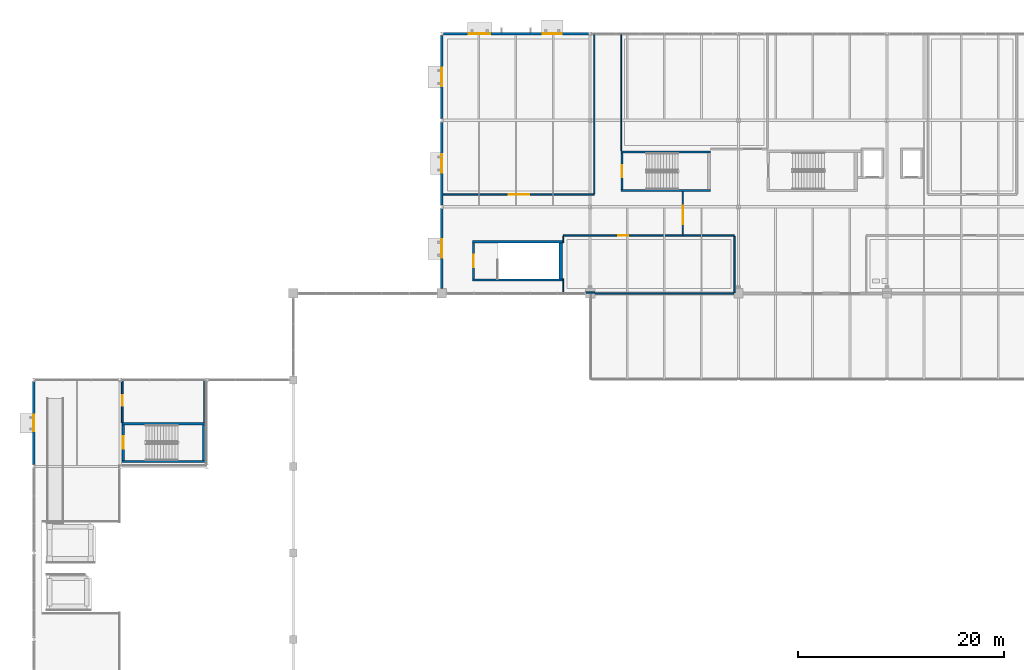
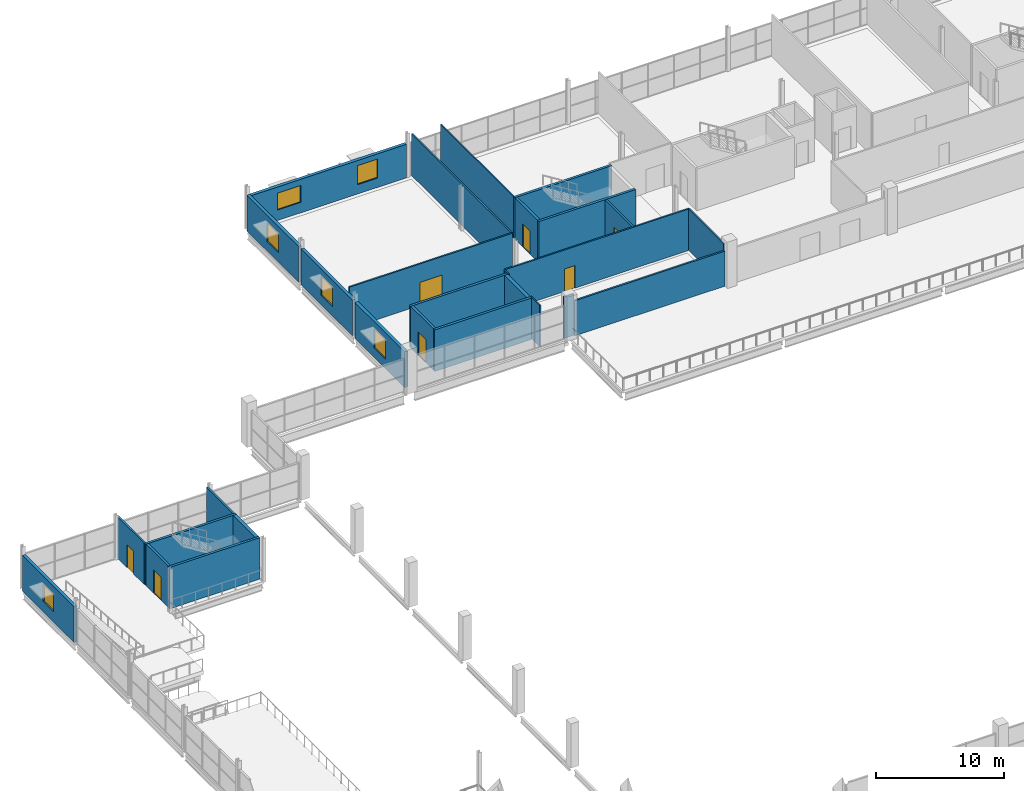
# One storey, part 79 of 93: 28 walls, 7 doors, 6 windows, 13 openings.
"""IFC4 building model written with IfcOpenShell, lengths in metres."""

from ifc_helpers import new_model, si_unit, direction, frame, frame_2d, origin, place, context, subcontext, project, spatial, rectangle, extrude, material, layer, layer_set, type_object, element, fill, save


model = new_model("IFC4")

# Units and contexts
model_context = context("Model", 3, precision=1e-05, world=origin(), true_north=direction((0.0, 1.0)))
body_context = subcontext(model_context, "Body", "Model", "MODEL_VIEW")
ifc_project = project(units=[si_unit("LENGTHUNIT", "METRE"), si_unit("AREAUNIT", "SQUARE_METRE"), si_unit("VOLUMEUNIT", "CUBIC_METRE"), si_unit("PLANEANGLEUNIT", "RADIAN"), si_unit("MASSUNIT", "GRAM", prefix="KILO"), si_unit("THERMODYNAMICTEMPERATUREUNIT", "KELVIN")], contexts=[model_context])

# Site, building, storey
site_placement = place(None, origin())
site = spatial("IfcSite", under=ifc_project, at=site_placement, CompositionType="ELEMENT")
building_placement = place(site_placement, origin())
building = spatial("IfcBuilding", under=site, at=building_placement, Name="Nduvali Passage Aquatics Centre", CompositionType="ELEMENT")
storey_placement = place(building_placement, frame((0.0, 0.0, 9.0)))
storey = spatial("IfcBuildingStorey", under=building, at=storey_placement, Name="L02", CompositionType="ELEMENT", Elevation=9.0)

# Wall, opening, window
ifc_material_1 = material(Name="Coral-stone masonry blockwork", Category="masonry")
ifc_layer_1 = layer(ifc_material_1, 0.280029296875, Name="Coral-stone masonry blockwork")
ifc_layer_set_1 = layer_set([ifc_layer_1], Name="Coral-stone masonry blockwork")
wall_type_1 = type_object("IfcWallType", Name="ENV-WAL-CORAL280", PredefinedType="STANDARD", material=ifc_layer_set_1)
wall_1_placement = place(storey_placement, frame((0.0, 83.830078125, 0.0), z_axis=(0.0, 0.0, 1.0), x_axis=(0.0, -1.0, 0.0)))
wall_1 = element("IfcWall", 1, at=wall_1_placement, inside=storey, type_object=wall_type_1, Name="L02 Diving West Facade 0032", PredefinedType="STANDARD", context=body_context, shape_type="SweptSolid", body=[
    extrude(rectangle(XDim=8.06005859375, YDim=0.280029296875, at=frame_2d((4.030029296875, 0.0))), origin(), (0.0, 0.0, 1.0), 3.406494140625),
])
opening_1_placement = place(wall_1_placement, frame((3.22998046875, 0.0, 1.0)))
opening_1 = element("IfcOpeningElement", 2, at=opening_1_placement, cuts=wall_1, Name="Opening W11", PredefinedType="OPENING", context=body_context, shape_type="SweptSolid", body=[
    extrude(rectangle(XDim=1.60009765625, YDim=1.60009765625, at=frame_2d((0.800048828125, 0.800048828125))), frame((0.0, 0.15478515625, 0.0), z_axis=(0.0, -1.0, 0.0), x_axis=(1.0, 0.0, 0.0)), (0.0, 0.0, 1.0), 0.309814453125),
])
ifc_material_2 = material(Name="Aluminium-framed solar-control low-E IGU", Category="aluminium")
window_type_1 = type_object("IfcWindowType", Name="ENV-WIN-W11", PartitioningType="SINGLE_PANEL", PredefinedType="WINDOW", material=ifc_material_2)
window_1_placement = place(opening_1_placement, origin())
window_1 = element("IfcWindow", 3, at=window_1_placement, inside=storey, type_object=window_type_1, Name="L02 Exterior Window W11-0039", OverallHeight=1.60009765625, OverallWidth=1.60009765625, PartitioningType="SINGLE_PANEL", PredefinedType="WINDOW", context=body_context, shape_type="SweptSolid", body=[
    extrude(rectangle(XDim=1.60009765625, YDim=1.60009765625, at=frame_2d((0.800048828125, 0.800048828125))), frame((0.0, 0.030029296875, 0.0), z_axis=(0.0, -1.0, 0.0), x_axis=(1.0, 0.0, 0.0)), (0.0, 0.0, 1.0), 0.06005859375),
])
fill(opening_1, window_1)

# Wall, openings, windows
wall_2_placement = place(storey_placement, frame((53.85009765625, 117.60009765625, 0.0), z_axis=(0.0, 0.0, 1.0), x_axis=(-1.0, 0.0, 0.0)))
wall_2 = element("IfcWall", 4, at=wall_2_placement, inside=storey, type_object=wall_type_1, Name="L02 North Avenue Civic Facade 0066", PredefinedType="STANDARD", context=body_context, shape_type="SweptSolid", body=[
    extrude(rectangle(XDim=14.10009765625, YDim=0.280029296875, at=frame_2d((7.050048828125, 0.0))), origin(), (0.0, 0.0, 1.0), 3.19384765625),
])
opening_2_placement = place(wall_2_placement, frame((2.625, 0.0, 0.89990234375)))
opening_2 = element("IfcOpeningElement", 5, at=opening_2_placement, cuts=wall_2, Name="Opening W2", PredefinedType="OPENING", context=body_context, shape_type="SweptSolid", body=[
    extrude(rectangle(XDim=1.800048828125, YDim=1.800048828125, at=frame_2d((0.89990234375, 0.89990234375))), frame((0.0, 0.15478515625, 0.0), z_axis=(0.0, -1.0, 0.0), x_axis=(1.0, 0.0, 0.0)), (0.0, 0.0, 1.0), 0.309814453125),
])
opening_3_placement = place(wall_2_placement, frame((9.52490234375, 0.0, 1.0)))
opening_3 = element("IfcOpeningElement", 6, at=opening_3_placement, cuts=wall_2, Name="Opening W5", PredefinedType="OPENING", context=body_context, shape_type="SweptSolid", body=[
    extrude(rectangle(XDim=2.10009765625, YDim=1.60009765625, at=frame_2d((1.050048828125, 0.800048828125))), frame((0.0, 0.15478515625, 0.0), z_axis=(0.0, -1.0, 0.0), x_axis=(1.0, 0.0, 0.0)), (0.0, 0.0, 1.0), 0.309814453125),
])
window_type_2 = type_object("IfcWindowType", Name="ENV-WIN-W2", PartitioningType="SINGLE_PANEL", PredefinedType="WINDOW", material=ifc_material_2)
window_2_placement = place(opening_2_placement, origin())
window_2 = element("IfcWindow", 7, at=window_2_placement, inside=storey, type_object=window_type_2, Name="L02 Exterior Window W2-0066", OverallHeight=1.800048828125, OverallWidth=1.800048828125, PartitioningType="SINGLE_PANEL", PredefinedType="WINDOW", context=body_context, shape_type="SweptSolid", body=[
    extrude(rectangle(XDim=1.800048828125, YDim=1.800048828125, at=frame_2d((0.89990234375, 0.89990234375))), frame((0.0, 0.030029296875, 0.0), z_axis=(0.0, -1.0, 0.0), x_axis=(1.0, 0.0, 0.0)), (0.0, 0.0, 1.0), 0.06005859375),
])
fill(opening_2, window_2)
window_type_3 = type_object("IfcWindowType", Name="ENV-WIN-W5", PartitioningType="SINGLE_PANEL", PredefinedType="WINDOW", material=ifc_material_2)
window_3_placement = place(opening_3_placement, origin())
window_3 = element("IfcWindow", 8, at=window_3_placement, inside=storey, type_object=window_type_3, Name="L02 Exterior Window W5-0067", OverallHeight=1.60009765625, OverallWidth=2.10009765625, PartitioningType="SINGLE_PANEL", PredefinedType="WINDOW", context=body_context, shape_type="SweptSolid", body=[
    extrude(rectangle(XDim=2.10009765625, YDim=1.60009765625, at=frame_2d((1.050048828125, 0.800048828125))), frame((0.0, 0.030029296875, 0.0), z_axis=(0.0, -1.0, 0.0), x_axis=(1.0, 0.0, 0.0)), (0.0, 0.0, 1.0), 0.06005859375),
])
fill(opening_3, window_3)

# Wall, opening, window
wall_3_placement = place(storey_placement, frame((39.60009765625, 100.625, 0.0), z_axis=(0.0, 0.0, 1.0), x_axis=(0.0, -1.0, 0.0)))
wall_3 = element("IfcWall", 9, at=wall_3_placement, inside=storey, type_object=wall_type_1, Name="L02 North Wing West Stepped Facade 0068", PredefinedType="STANDARD", context=body_context, shape_type="SweptSolid", body=[
    extrude(rectangle(XDim=7.77490234375, YDim=0.280029296875, at=frame_2d((3.887451171875, 0.0))), origin(), (0.0, 0.0, 1.0), 3.406494140625),
])
opening_4_placement = place(wall_3_placement, frame((2.988037109375, 0.0, 0.89990234375)))
opening_4 = element("IfcOpeningElement", 10, at=opening_4_placement, cuts=wall_3, Name="Opening W2", PredefinedType="OPENING", context=body_context, shape_type="SweptSolid", body=[
    extrude(rectangle(XDim=1.800048828125, YDim=1.800048828125, at=frame_2d((0.89990234375, 0.89990234375))), frame((0.0, 0.15478515625, 0.0), z_axis=(0.0, -1.0, 0.0), x_axis=(1.0, 0.0, 0.0)), (0.0, 0.0, 1.0), 0.309814453125),
])
window_4_placement = place(opening_4_placement, origin())
window_4 = element("IfcWindow", 11, at=window_4_placement, inside=storey, type_object=window_type_2, Name="L02 Exterior Window W2-0068", OverallHeight=1.800048828125, OverallWidth=1.800048828125, PartitioningType="SINGLE_PANEL", PredefinedType="WINDOW", context=body_context, shape_type="SweptSolid", body=[
    extrude(rectangle(XDim=1.800048828125, YDim=1.800048828125, at=frame_2d((0.89990234375, 0.89990234375))), frame((0.0, 0.030029296875, 0.0), z_axis=(0.0, -1.0, 0.0), x_axis=(1.0, 0.0, 0.0)), (0.0, 0.0, 1.0), 0.06005859375),
])
fill(opening_4, window_4)

wall_4_placement = place(storey_placement, frame((39.60009765625, 109.030029296875, 0.0), z_axis=(0.0, 0.0, 1.0), x_axis=(0.0, -1.0, 0.0)))
wall_4 = element("IfcWall", 12, at=wall_4_placement, inside=storey, type_object=wall_type_1, Name="L02 North Wing West Stepped Facade 0069", PredefinedType="STANDARD", context=body_context, shape_type="SweptSolid", body=[
    extrude(rectangle(XDim=8.054931640625, YDim=0.280029296875, at=frame_2d((4.02734375, 0.0))), origin(), (0.0, 0.0, 1.0), 3.406494140625),
])
opening_5_placement = place(wall_4_placement, frame((3.1279296875, 0.0, 0.89990234375)))
opening_5 = element("IfcOpeningElement", 13, at=opening_5_placement, cuts=wall_4, Name="Opening W2", PredefinedType="OPENING", context=body_context, shape_type="SweptSolid", body=[
    extrude(rectangle(XDim=1.800048828125, YDim=1.800048828125, at=frame_2d((0.89990234375, 0.89990234375))), frame((0.0, 0.15478515625, 0.0), z_axis=(0.0, -1.0, 0.0), x_axis=(1.0, 0.0, 0.0)), (0.0, 0.0, 1.0), 0.309814453125),
])
window_5_placement = place(opening_5_placement, origin())
window_5 = element("IfcWindow", 14, at=window_5_placement, inside=storey, type_object=window_type_2, Name="L02 Exterior Window W2-0069", OverallHeight=1.800048828125, OverallWidth=1.800048828125, PartitioningType="SINGLE_PANEL", PredefinedType="WINDOW", context=body_context, shape_type="SweptSolid", body=[
    extrude(rectangle(XDim=1.800048828125, YDim=1.800048828125, at=frame_2d((0.89990234375, 0.89990234375))), frame((0.0, 0.030029296875, 0.0), z_axis=(0.0, -1.0, 0.0), x_axis=(1.0, 0.0, 0.0)), (0.0, 0.0, 1.0), 0.06005859375),
])
fill(opening_5, window_5)

wall_5_placement = place(storey_placement, frame((39.60009765625, 117.43994140625, 0.0), z_axis=(0.0, 0.0, 1.0), x_axis=(0.0, -1.0, 0.0)))
wall_5 = element("IfcWall", 15, at=wall_5_placement, inside=storey, type_object=wall_type_1, Name="L02 North Wing West Stepped Facade 0070", PredefinedType="STANDARD", context=body_context, shape_type="SweptSolid", body=[
    extrude(rectangle(XDim=8.06982421875, YDim=0.280029296875, at=frame_2d((4.034912109375, 0.0))), origin(), (0.0, 0.0, 1.0), 3.406494140625),
])
opening_6_placement = place(wall_5_placement, frame((3.135009765625, 0.0, 0.89990234375)))
opening_6 = element("IfcOpeningElement", 16, at=opening_6_placement, cuts=wall_5, Name="Opening W2", PredefinedType="OPENING", context=body_context, shape_type="SweptSolid", body=[
    extrude(rectangle(XDim=1.800048828125, YDim=1.800048828125, at=frame_2d((0.89990234375, 0.89990234375))), frame((0.0, 0.15478515625, 0.0), z_axis=(0.0, -1.0, 0.0), x_axis=(1.0, 0.0, 0.0)), (0.0, 0.0, 1.0), 0.309814453125),
])
window_6_placement = place(opening_6_placement, origin())
window_6 = element("IfcWindow", 17, at=window_6_placement, inside=storey, type_object=window_type_2, Name="L02 Exterior Window W2-0070", OverallHeight=1.800048828125, OverallWidth=1.800048828125, PartitioningType="SINGLE_PANEL", PredefinedType="WINDOW", context=body_context, shape_type="SweptSolid", body=[
    extrude(rectangle(XDim=1.800048828125, YDim=1.800048828125, at=frame_2d((0.89990234375, 0.89990234375))), frame((0.0, 0.030029296875, 0.0), z_axis=(0.0, -1.0, 0.0), x_axis=(1.0, 0.0, 0.0)), (0.0, 0.0, 1.0), 0.06005859375),
])
fill(opening_6, window_6)

# Walls
ifc_material_3 = material(Name="Concrete C40/50", Category="concrete")
ifc_layer_2 = layer(ifc_material_3, 0.219970703125, Name="Concrete C40/50")
ifc_layer_set_2 = layer_set([ifc_layer_2], Name="Concrete C40/50")
wall_type_2 = type_object("IfcWallType", Name="INT-WAL-CORE220", PredefinedType="SOLIDWALL", material=ifc_layer_set_2)
for number, where, z_axis, x_axis, name in (
    (18, (56.97998046875, 102.389892578125, 0.0), (0.0, 0.0, 1.0), (1.0, 0.0, 0.0), "L02 Stair ST3 Core Wall S"),
    (19, (65.699951171875, 106.1201171875, 0.0), (0.0, 0.0, 1.0), (-1.0, 0.0, 0.0), "L02 Stair ST3 Core Wall N"),
):
    element("IfcWall", number, at=place(storey_placement, frame(where, z_axis=z_axis, x_axis=x_axis)), inside=storey, type_object=wall_type_2, Name=name, PredefinedType="SOLIDWALL", context=body_context, shape_type="SweptSolid", body=[
        extrude(rectangle(XDim=8.719970703125, YDim=0.219970703125, at=frame_2d((4.35986328125, 0.0))), origin(), (0.0, 0.0, 1.0), 3.949951171875),
    ])

# Wall, opening, door
wall_6_placement = place(storey_placement, frame((57.090087890625, 106.010009765625, 0.0), z_axis=(0.0, 0.0, 1.0), x_axis=(0.0, -1.0, 0.0)))
wall_6 = element("IfcWall", 20, at=wall_6_placement, inside=storey, type_object=wall_type_2, Name="L02 Stair ST3 Core Wall W", PredefinedType="SOLIDWALL", context=body_context, shape_type="SweptSolid", body=[
    extrude(rectangle(XDim=3.510009765625, YDim=0.219970703125, at=frame_2d((1.7548828125, 0.0))), origin(), (0.0, 0.0, 1.0), 3.949951171875),
])
opening_7_placement = place(wall_6_placement, frame((1.155029296875, 0.0, 0.0)))
opening_7 = element("IfcOpeningElement", 21, at=opening_7_placement, cuts=wall_6, Name="Opening FD-ST2", PredefinedType="OPENING", context=body_context, shape_type="SweptSolid", body=[
    extrude(rectangle(XDim=1.199951171875, YDim=2.199951171875, at=frame_2d((0.60009765625, 1.10009765625))), frame((0.0, 0.125, 0.0), z_axis=(0.0, -1.0, 0.0), x_axis=(1.0, 0.0, 0.0)), (0.0, 0.0, 1.0), 0.249755859375),
])
ifc_material_4 = material(Name="Galvanised steel door", Category="steel")
door_type_1 = type_object("IfcDoorType", Name="INT-DR-ST120", OperationType="NOTDEFINED", PredefinedType="DOOR", material=ifc_material_4)
door_1_placement = place(opening_7_placement, frame((1.199951171875, 0.0, 0.0), z_axis=(0.0, 0.0, 1.0), x_axis=(-1.0, 0.0, 0.0)))
door_1 = element("IfcDoor", 22, at=door_1_placement, inside=storey, type_object=door_type_1, Name="L02 Stair ST3 Fire Lobby Door", OperationType="SINGLE_SWING_RIGHT", OverallHeight=2.199951171875, OverallWidth=1.199951171875, PredefinedType="DOOR", context=body_context, shape_type="SweptSolid", body=[
    extrude(rectangle(XDim=1.199951171875, YDim=2.199951171875, at=frame_2d((0.60009765625, 1.10009765625))), frame((0.0, 0.02490234375, 0.0), z_axis=(0.0, -1.0, 0.0), x_axis=(1.0, 0.0, 0.0)), (0.0, 0.0, 1.0), 0.050048828125),
])
fill(opening_7, door_1)

# Walls
for number, where, z_axis, x_axis, name in (
    (23, (42.580078125, 93.68994140625, 0.0), (0.0, 0.0, 1.0), (1.0, 0.0, 0.0), "L02 Stair ST4 Core Wall S"),
    (24, (51.300048828125, 97.419921875, 0.0), (0.0, 0.0, 1.0), (-1.0, 0.0, 0.0), "L02 Stair ST4 Core Wall N"),
):
    element("IfcWall", number, at=place(storey_placement, frame(where, z_axis=z_axis, x_axis=x_axis)), inside=storey, type_object=wall_type_2, Name=name, PredefinedType="SOLIDWALL", context=body_context, shape_type="SweptSolid", body=[
        extrude(rectangle(XDim=8.719970703125, YDim=0.219970703125, at=frame_2d((4.35986328125, 0.0))), origin(), (0.0, 0.0, 1.0), 3.949951171875),
    ])

# Wall, opening, door
wall_7_placement = place(storey_placement, frame((42.68994140625, 97.31005859375, 0.0), z_axis=(0.0, 0.0, 1.0), x_axis=(0.0, -1.0, 0.0)))
wall_7 = element("IfcWall", 25, at=wall_7_placement, inside=storey, type_object=wall_type_2, Name="L02 Stair ST4 Core Wall W", PredefinedType="SOLIDWALL", context=body_context, shape_type="SweptSolid", body=[
    extrude(rectangle(XDim=3.510009765625, YDim=0.219970703125, at=frame_2d((1.7548828125, 0.0))), origin(), (0.0, 0.0, 1.0), 3.949951171875),
])
opening_8_placement = place(wall_7_placement, frame((1.155029296875, 0.0, 0.0)))
opening_8 = element("IfcOpeningElement", 26, at=opening_8_placement, cuts=wall_7, Name="Opening FD-ST2", PredefinedType="OPENING", context=body_context, shape_type="SweptSolid", body=[
    extrude(rectangle(XDim=1.199951171875, YDim=2.199951171875, at=frame_2d((0.60009765625, 1.10009765625))), frame((0.0, 0.125, 0.0), z_axis=(0.0, -1.0, 0.0), x_axis=(1.0, 0.0, 0.0)), (0.0, 0.0, 1.0), 0.249755859375),
])
door_2_placement = place(opening_8_placement, frame((1.199951171875, 0.0, 0.0), z_axis=(0.0, 0.0, 1.0), x_axis=(-1.0, 0.0, 0.0)))
door_2 = element("IfcDoor", 27, at=door_2_placement, inside=storey, type_object=door_type_1, Name="L02 Stair ST4 Fire Lobby Door", OperationType="SINGLE_SWING_RIGHT", OverallHeight=2.199951171875, OverallWidth=1.199951171875, PredefinedType="DOOR", context=body_context, shape_type="SweptSolid", body=[
    extrude(rectangle(XDim=1.199951171875, YDim=2.199951171875, at=frame_2d((0.60009765625, 1.10009765625))), frame((0.0, 0.02490234375, 0.0), z_axis=(0.0, -1.0, 0.0), x_axis=(1.0, 0.0, 0.0)), (0.0, 0.0, 1.0), 0.050048828125),
])
fill(opening_8, door_2)

# Walls
for number, where, z_axis, x_axis, name in (
    (28, (8.580078125, 76.090087890625, 0.0), (0.0, 0.0, 1.0), (1.0, 0.0, 0.0), "L02 Stair ST12 Core Wall S"),
    (29, (16.699951171875, 79.739990234375, 0.0), (0.0, 0.0, 1.0), (-1.0, 0.0, 0.0), "L02 Stair ST12 Core Wall N"),
):
    element("IfcWall", number, at=place(storey_placement, frame(where, z_axis=z_axis, x_axis=x_axis)), inside=storey, type_object=wall_type_2, Name=name, PredefinedType="SOLIDWALL", context=body_context, shape_type="SweptSolid", body=[
        extrude(rectangle(XDim=8.119873046875, YDim=0.219970703125, at=frame_2d((4.06005859375, 0.0))), origin(), (0.0, 0.0, 1.0), 3.949951171875),
    ])

# Wall, opening, door
wall_8_placement = place(storey_placement, frame((8.68994140625, 79.6298828125, 0.0), z_axis=(0.0, 0.0, 1.0), x_axis=(0.0, -1.0, 0.0)))
wall_8 = element("IfcWall", 30, at=wall_8_placement, inside=storey, type_object=wall_type_2, Name="L02 Stair ST12 Core Wall W", PredefinedType="SOLIDWALL", context=body_context, shape_type="SweptSolid", body=[
    extrude(rectangle(XDim=3.429931640625, YDim=0.219970703125, at=frame_2d((1.71484375, 0.0))), origin(), (0.0, 0.0, 1.0), 3.949951171875),
])
opening_9_placement = place(wall_8_placement, frame((1.114990234375, 0.0, 0.0)))
opening_9 = element("IfcOpeningElement", 31, at=opening_9_placement, cuts=wall_8, Name="Opening FD-ST2", PredefinedType="OPENING", context=body_context, shape_type="SweptSolid", body=[
    extrude(rectangle(XDim=1.199951171875, YDim=2.199951171875, at=frame_2d((0.60009765625, 1.10009765625))), frame((0.0, 0.125, 0.0), z_axis=(0.0, -1.0, 0.0), x_axis=(1.0, 0.0, 0.0)), (0.0, 0.0, 1.0), 0.249755859375),
])
door_3_placement = place(opening_9_placement, frame((1.199951171875, 0.0, 0.0), z_axis=(0.0, 0.0, 1.0), x_axis=(-1.0, 0.0, 0.0)))
door_3 = element("IfcDoor", 32, at=door_3_placement, inside=storey, type_object=door_type_1, Name="L02 Stair ST12 Fire Lobby Door", OperationType="SINGLE_SWING_LEFT", OverallHeight=2.199951171875, OverallWidth=1.199951171875, PredefinedType="DOOR", context=body_context, shape_type="SweptSolid", body=[
    extrude(rectangle(XDim=1.199951171875, YDim=2.199951171875, at=frame_2d((0.60009765625, 1.10009765625))), frame((0.0, 0.02490234375, 0.0), z_axis=(0.0, -1.0, 0.0), x_axis=(1.0, 0.0, 0.0)), (0.0, 0.0, 1.0), 0.050048828125),
])
fill(opening_9, door_3)

# Wall
ifc_material_5 = material(Name="Gypsum fire-rated stud partition")
ifc_layer_3 = layer(ifc_material_5, 0.159912109375, Name="Gypsum fire-rated stud partition")
ifc_layer_set_3 = layer_set([ifc_layer_3], Name="Gypsum fire-rated stud partition")
wall_type_3 = type_object("IfcWallType", Name="INT-WAL-FIRE160", PredefinedType="PARTITIONING", material=ifc_layer_set_3)
wall_9_placement = place(storey_placement, frame((54.449951171875, 92.39990234375, 0.0), z_axis=(0.0, 0.0, 1.0), x_axis=(1.0, 0.0, 0.0)))
element("IfcWall", 33, at=wall_9_placement, inside=storey, type_object=wall_type_3, Name="L02 Media Gallery Grid M Fire Partition 1", PredefinedType="PARTITIONING", context=body_context, shape_type="SweptSolid", body=[
    extrude(rectangle(XDim=13.5, YDim=0.159912109375, at=frame_2d((6.75, 0.0))), origin(), (0.0, 0.0, 1.0), 3.340087890625),
])

# Wall, opening, door
wall_10_placement = place(storey_placement, frame((8.60009765625, 79.85009765625, 0.0), z_axis=(0.0, 0.0, 1.0), x_axis=(0.0, 1.0, 0.0)))
wall_10 = element("IfcWall", 34, at=wall_10_placement, inside=storey, type_object=wall_type_3, Name="L02 Diving Judges Panel and Video Replay Suite Partition 0173", PredefinedType="PARTITIONING", context=body_context, shape_type="SweptSolid", body=[
    extrude(rectangle(XDim=4.1298828125, YDim=0.159912109375, at=frame_2d((2.06494140625, 0.0))), origin(), (0.0, 0.0, 1.0), 3.949951171875),
])
opening_10_placement = place(wall_10_placement, frame((1.625, 0.0, 0.0)))
opening_10 = element("IfcOpeningElement", 35, at=opening_10_placement, cuts=wall_10, Name="Opening FD-R1", PredefinedType="OPENING", context=body_context, shape_type="SweptSolid", body=[
    extrude(rectangle(XDim=1.050048828125, YDim=2.179931640625, at=frame_2d((0.52490234375, 1.08984375))), frame((0.0, 0.0947265625, 0.0), z_axis=(0.0, -1.0, 0.0), x_axis=(1.0, 0.0, 0.0)), (0.0, 0.0, 1.0), 0.189697265625),
])
ifc_material_6 = material(Name="Timber solid-core fire door", Category="wood")
door_type_2 = type_object("IfcDoorType", Name="INT-DR-FIRE100", OperationType="NOTDEFINED", PredefinedType="DOOR", material=ifc_material_6)
door_4_placement = place(opening_10_placement, frame((1.050048828125, 0.0, 0.0), z_axis=(0.0, 0.0, 1.0), x_axis=(-1.0, 0.0, 0.0)))
door_4 = element("IfcDoor", 36, at=door_4_placement, inside=storey, type_object=door_type_2, Name="L02 Diving Judges Panel and Video Replay Suite Door 0059", OperationType="SINGLE_SWING_RIGHT", OverallHeight=2.179931640625, OverallWidth=1.050048828125, PredefinedType="DOOR", context=body_context, shape_type="SweptSolid", body=[
    extrude(rectangle(XDim=1.050048828125, YDim=2.179931640625, at=frame_2d((0.52490234375, 1.08984375))), frame((0.0, 0.02490234375, 0.0), z_axis=(0.0, -1.0, 0.0), x_axis=(1.0, 0.0, 0.0)), (0.0, 0.0, 1.0), 0.050048828125),
])
fill(opening_10, door_4)

# Wall
wall_11_placement = place(storey_placement, frame((16.60009765625, 79.85009765625, 0.0), z_axis=(0.0, 0.0, 1.0), x_axis=(0.0, 1.0, 0.0)))
element("IfcWall", 37, at=wall_11_placement, inside=storey, type_object=wall_type_3, Name="L02 Diving Judges Panel and Video Replay Suite Partition 0174", PredefinedType="PARTITIONING", context=body_context, shape_type="SweptSolid", body=[
    extrude(rectangle(XDim=4.1298828125, YDim=0.159912109375, at=frame_2d((2.06494140625, 0.0))), origin(), (0.0, 0.0, 1.0), 3.949951171875),
])

# Wall, opening, door
wall_12_placement = place(storey_placement, frame((63.0, 98.0, 0.0), z_axis=(0.0, 0.0, 1.0), x_axis=(0.0, 1.0, 0.0)))
wall_12 = element("IfcWall", 38, at=wall_12_placement, inside=storey, type_object=wall_type_3, Name="L02 Cross-Corridor Smoke Partition", PredefinedType="PARTITIONING", context=body_context, shape_type="SweptSolid", body=[
    extrude(rectangle(XDim=4.280029296875, YDim=0.159912109375, at=frame_2d((2.14013671875, 0.0))), origin(), (0.0, 0.0, 1.0), 3.949951171875),
])
opening_11_placement = place(wall_12_placement, frame((1.10009765625, 0.0, 0.0)))
opening_11 = element("IfcOpeningElement", 39, at=opening_11_placement, cuts=wall_12, Name="Opening FD-C1", PredefinedType="OPENING", context=body_context, shape_type="SweptSolid", body=[
    extrude(rectangle(XDim=1.800048828125, YDim=2.199951171875, at=frame_2d((0.89990234375, 1.10009765625))), frame((0.0, 0.0947265625, 0.0), z_axis=(0.0, -1.0, 0.0), x_axis=(1.0, 0.0, 0.0)), (0.0, 0.0, 1.0), 0.189697265625),
])
door_type_3 = type_object("IfcDoorType", Name="INT-DR-COR180", OperationType="DOUBLE_DOOR_SINGLE_SWING", PredefinedType="DOOR", material=ifc_material_6)
door_5_placement = place(opening_11_placement, origin())
door_5 = element("IfcDoor", 40, at=door_5_placement, inside=storey, type_object=door_type_3, Name="L02 Cross-Corridor Double Fire Door", OperationType="DOUBLE_DOOR_SINGLE_SWING", OverallHeight=2.199951171875, OverallWidth=1.800048828125, PredefinedType="DOOR", context=body_context, shape_type="SweptSolid", body=[
    extrude(rectangle(XDim=1.800048828125, YDim=2.199951171875, at=frame_2d((0.89990234375, 1.10009765625))), frame((0.0, 0.02490234375, 0.0), z_axis=(0.0, -1.0, 0.0), x_axis=(1.0, 0.0, 0.0)), (0.0, 0.0, 1.0), 0.050048828125),
])
fill(opening_11, door_5)

# Walls
ifc_material_7 = material(Name="Glulam GL28h", Category="wood")
ifc_layer_4 = layer(ifc_material_7, 0.10009765625, Name="Glulam GL28h")
ifc_layer_set_4 = layer_set([ifc_layer_4], Name="Glulam GL28h")
wall_type_4 = type_object("IfcWallType", Name="INT-WAL-MOV100", PredefinedType="MOVABLE", material=ifc_layer_set_4)
wall_13_placement = place(storey_placement, frame((57.0, 106.22998046875, 0.0), z_axis=(0.0, 0.0, 1.0), x_axis=(0.0, 1.0, 0.0)))
element("IfcWall", 41, at=wall_13_placement, inside=storey, type_object=wall_type_4, Name="L02 Indoor Cycling and HIIT Group Studio 2 Partition 0178", PredefinedType="MOVABLE", context=body_context, shape_type="SweptSolid", body=[
    extrude(rectangle(XDim=11.35009765625, YDim=0.10009765625, at=frame_2d((5.675048828125, 0.0))), origin(), (0.0, 0.0, 1.0), 3.949951171875),
])
wall_14_placement = place(storey_placement, frame((51.39990234375, 92.419921875, 0.0), z_axis=(0.0, 0.0, 1.0), x_axis=(0.0, 1.0, 0.0)))
element("IfcWall", 42, at=wall_14_placement, inside=storey, type_object=wall_type_4, Name="L02 Mind-Body Pilates and Yoga Studio Partition 0183", PredefinedType="MOVABLE", context=body_context, shape_type="SweptSolid", body=[
    extrude(rectangle(XDim=1.380126953125, YDim=0.10009765625, at=frame_2d((0.68994140625, 0.0))), origin(), (0.0, 0.0, 1.0), 3.949951171875),
])
wall_15_placement = place(storey_placement, frame((51.39990234375, 97.31005859375, 0.0), z_axis=(0.0, 0.0, 1.0), x_axis=(0.0, 1.0, 0.0)))
element("IfcWall", 43, at=wall_15_placement, inside=storey, type_object=wall_type_4, Name="L02 Mind-Body Pilates and Yoga Studio Partition 0184", PredefinedType="MOVABLE", context=body_context, shape_type="SweptSolid", body=[
    extrude(rectangle(XDim=0.619873046875, YDim=0.10009765625, at=frame_2d((0.31005859375, 0.0))), origin(), (0.0, 0.0, 1.0), 3.949951171875),
])

# Wall, opening, door
ifc_material_8 = material(Name="Gypsum acoustic stud partition")
ifc_layer_5 = layer(ifc_material_8, 0.139892578125, Name="Gypsum acoustic stud partition")
ifc_layer_set_5 = layer_set([ifc_layer_5], Name="Gypsum acoustic stud partition")
wall_type_5 = type_object("IfcWallType", Name="INT-WAL-PART140", PredefinedType="PARTITIONING", material=ifc_layer_set_5)
wall_16_placement = place(storey_placement, frame((39.739990234375, 102.0, 0.0), z_axis=(0.0, 0.0, 1.0), x_axis=(1.0, 0.0, 0.0)))
wall_16 = element("IfcWall", 44, at=wall_16_placement, inside=storey, type_object=wall_type_5, Name="L02 Group Exercise and Aerobics Studio 1 Partition 0175", PredefinedType="PARTITIONING", context=body_context, shape_type="SweptSolid", body=[
    extrude(rectangle(XDim=14.659912109375, YDim=0.139892578125, at=frame_2d((7.330078125, 0.0))), origin(), (0.0, 0.0, 1.0), 3.949951171875),
])
opening_12_placement = place(wall_16_placement, frame((6.340087890625, 0.0, 0.0)))
opening_12 = element("IfcOpeningElement", 45, at=opening_12_placement, cuts=wall_16, Name="Opening ID5", PredefinedType="OPENING", context=body_context, shape_type="SweptSolid", body=[
    extrude(rectangle(XDim=2.0, YDim=2.199951171875, at=frame_2d((1.0, 1.10009765625))), frame((0.0, 0.0849609375, 0.0), z_axis=(0.0, -1.0, 0.0), x_axis=(1.0, 0.0, 0.0)), (0.0, 0.0, 1.0), 0.169677734375),
])
ifc_material_9 = material(Name="Aluminium-framed glazed door", Category="aluminium")
door_type_4 = type_object("IfcDoorType", Name="INT-DR-DBL200", OperationType="DOUBLE_DOOR_SINGLE_SWING", PredefinedType="DOOR", material=ifc_material_9)
door_6_placement = place(opening_12_placement, origin())
door_6 = element("IfcDoor", 46, at=door_6_placement, inside=storey, type_object=door_type_4, Name="L02 Group Exercise and Aerobics Studio 1 Door 0060", OperationType="DOUBLE_DOOR_SINGLE_SWING", OverallHeight=2.199951171875, OverallWidth=2.0, PredefinedType="DOOR", context=body_context, shape_type="SweptSolid", body=[
    extrude(rectangle(XDim=2.0, YDim=2.199951171875, at=frame_2d((1.0, 1.10009765625))), frame((0.0, 0.02490234375, 0.0), z_axis=(0.0, -1.0, 0.0), x_axis=(1.0, 0.0, 0.0)), (0.0, 0.0, 1.0), 0.050048828125),
])
fill(opening_12, door_6)

# Walls
wall_17_placement = place(storey_placement, frame((54.39990234375, 102.070068359375, 0.0), z_axis=(0.0, 0.0, 1.0), x_axis=(0.0, 1.0, 0.0)))
element("IfcWall", 47, at=wall_17_placement, inside=storey, type_object=wall_type_5, Name="L02 Group Exercise and Aerobics Studio 1 Partition 0176", PredefinedType="PARTITIONING", context=body_context, shape_type="SweptSolid", body=[
    extrude(rectangle(XDim=15.510009765625, YDim=0.139892578125, at=frame_2d((7.7548828125, 0.0))), origin(), (0.0, 0.0, 1.0), 3.949951171875),
])
wall_18_placement = place(storey_placement, frame((53.550048828125, 92.5, 0.0), z_axis=(0.0, 0.0, 1.0), x_axis=(1.0, 0.0, 0.0)))
element("IfcWall", 48, at=wall_18_placement, inside=storey, type_object=wall_type_5, Name="L02 Mind-Body Pilates and Yoga Studio Partition 0180", PredefinedType="PARTITIONING", context=body_context, shape_type="SweptSolid", body=[
    extrude(rectangle(XDim=0.89990234375, YDim=0.139892578125, at=frame_2d((0.449951171875, 0.0))), origin(), (0.0, 0.0, 1.0), 3.949951171875),
])

# Wall, opening, door
wall_19_placement = place(storey_placement, frame((51.39990234375, 98.0, 0.0), z_axis=(0.0, 0.0, 1.0), x_axis=(1.0, 0.0, 0.0)))
wall_19 = element("IfcWall", 49, at=wall_19_placement, inside=storey, type_object=wall_type_5, Name="L02 Mind-Body Pilates and Yoga Studio Partition 0181", PredefinedType="PARTITIONING", context=body_context, shape_type="SweptSolid", body=[
    extrude(rectangle(XDim=16.60009765625, YDim=0.139892578125, at=frame_2d((8.300048828125, 0.0))), origin(), (0.0, 0.0, 1.0), 3.949951171875),
])
opening_13_placement = place(wall_19_placement, frame((5.344970703125, 0.0, 0.0)))
opening_13 = element("IfcOpeningElement", 50, at=opening_13_placement, cuts=wall_19, Name="Opening ID2", PredefinedType="OPENING", context=body_context, shape_type="SweptSolid", body=[
    extrude(rectangle(XDim=0.949951171875, YDim=2.14990234375, at=frame_2d((0.47509765625, 1.074951171875))), frame((0.0, 0.0849609375, 0.0), z_axis=(0.0, -1.0, 0.0), x_axis=(1.0, 0.0, 0.0)), (0.0, 0.0, 1.0), 0.169677734375),
])
ifc_material_10 = material(Name="Timber solid-core door", Category="wood")
door_type_5 = type_object("IfcDoorType", Name="INT-DR-STD95", OperationType="NOTDEFINED", PredefinedType="DOOR", material=ifc_material_10)
door_7_placement = place(opening_13_placement, origin())
door_7 = element("IfcDoor", 51, at=door_7_placement, inside=storey, type_object=door_type_5, Name="L02 Mind-Body Pilates and Yoga Studio Door 0062", OperationType="SINGLE_SWING_LEFT", OverallHeight=2.14990234375, OverallWidth=0.949951171875, PredefinedType="DOOR", context=body_context, shape_type="SweptSolid", body=[
    extrude(rectangle(XDim=0.949951171875, YDim=2.14990234375, at=frame_2d((0.47509765625, 1.074951171875))), frame((0.0, 0.02490234375, 0.0), z_axis=(0.0, -1.0, 0.0), x_axis=(1.0, 0.0, 0.0)), (0.0, 0.0, 1.0), 0.050048828125),
])
fill(opening_13, door_7)

# Walls
wall_20_placement = place(storey_placement, frame((68.0, 92.47998046875, 0.0), z_axis=(0.0, 0.0, 1.0), x_axis=(0.0, 1.0, 0.0)))
element("IfcWall", 52, at=wall_20_placement, inside=storey, type_object=wall_type_5, Name="L02 Mind-Body Pilates and Yoga Studio Partition 0182", PredefinedType="PARTITIONING", context=body_context, shape_type="SweptSolid", body=[
    extrude(rectangle(XDim=5.449951171875, YDim=0.139892578125, at=frame_2d((2.72509765625, 0.0))), origin(), (0.0, 0.0, 1.0), 3.949951171875),
])
ifc_layer_6 = layer(ifc_material_3, 0.300048828125, Name="Concrete C40/50")
ifc_layer_set_6 = layer_set([ifc_layer_6], Name="Concrete C40/50")
wall_type_6 = type_object("IfcWallType", Name="STR-WAL-SHR300", PredefinedType="SHEAR", material=ifc_layer_set_6)
wall_21_placement = place(storey_placement, frame((51.14990234375, 93.800048828125, 0.0), z_axis=(0.0, 0.0, 1.0), x_axis=(0.0, 1.0, 0.0)))
element("IfcWall", 53, at=wall_21_placement, inside=storey, type_object=wall_type_6, Name="L02 Stair ST4 Core Shear Wall E", PredefinedType="SHEAR", context=body_context, shape_type="SweptSolid", body=[
    extrude(rectangle(XDim=3.510009765625, YDim=0.300048828125, at=frame_2d((1.7548828125, 0.0))), origin(), (0.0, 0.0, 1.0), 3.949951171875),
])
wall_22_placement = place(storey_placement, frame((16.550048828125, 76.199951171875, 0.0), z_axis=(0.0, 0.0, 1.0), x_axis=(0.0, 1.0, 0.0)))
element("IfcWall", 54, at=wall_22_placement, inside=storey, type_object=wall_type_6, Name="L02 Stair ST12 Core Shear Wall E", PredefinedType="SHEAR", context=body_context, shape_type="SweptSolid", body=[
    extrude(rectangle(XDim=3.429931640625, YDim=0.300048828125, at=frame_2d((1.71484375, 0.0))), origin(), (0.0, 0.0, 1.0), 3.949951171875),
])

save(model, "model.ifc")
